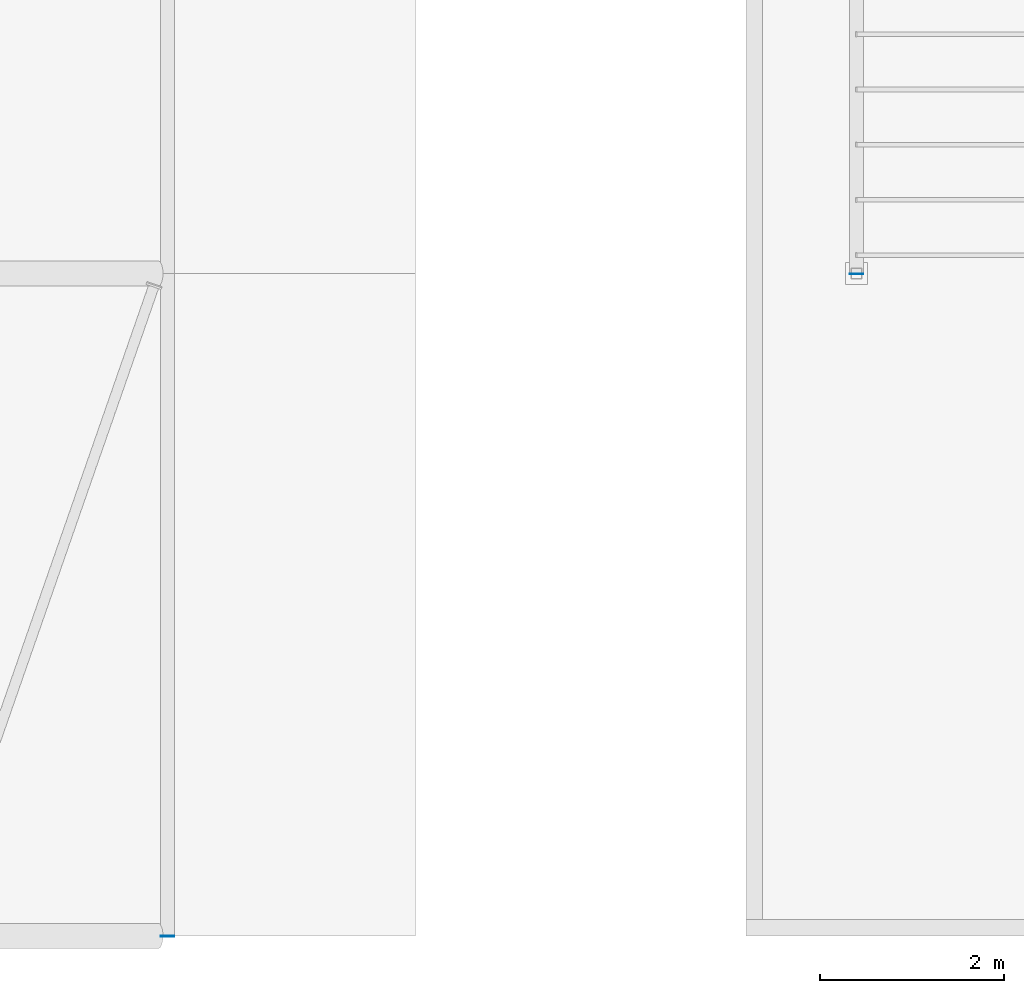
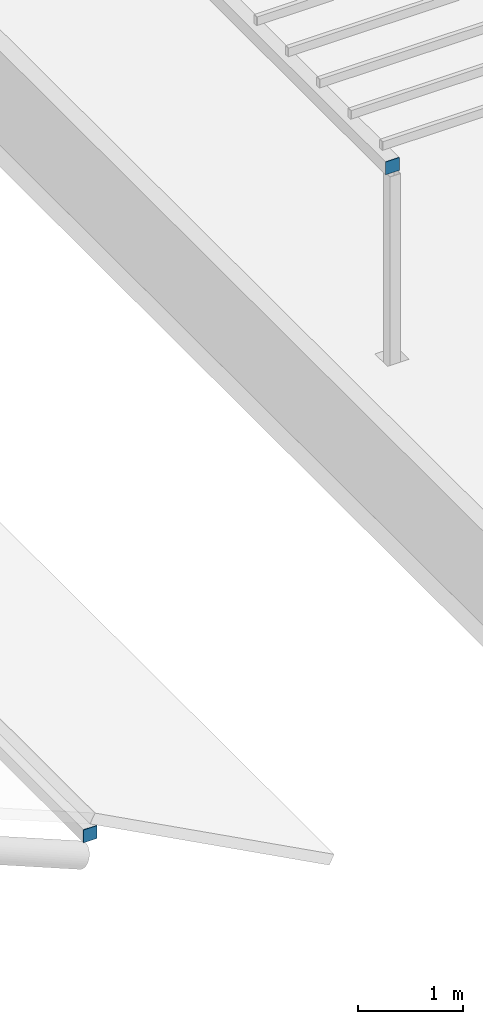
# One storey, part 75 of 92: 2 discrete accessories.
"""IFC4 building model written with IfcOpenShell, lengths in metres."""

from ifc_helpers import new_model, si_unit, direction, frame, origin, origin_2d, place, context, subcontext, project, spatial, rectangle, extrude, material, material_profile, profile_set, type_object, element, save


model = new_model("IFC4")

# Units and contexts
model_context = context("Model", 3, precision=1e-05, world=origin(), true_north=direction((0.0, 1.0)))
body_context = subcontext(model_context, "Body", "Model", "MODEL_VIEW")
ifc_project = project(units=[si_unit("LENGTHUNIT", "METRE"), si_unit("AREAUNIT", "SQUARE_METRE"), si_unit("VOLUMEUNIT", "CUBIC_METRE"), si_unit("PLANEANGLEUNIT", "RADIAN"), si_unit("MASSUNIT", "GRAM", prefix="KILO")], contexts=[model_context])

# Site, building, storey
site_placement = place(None, origin())
site = spatial("IfcSite", under=ifc_project, at=site_placement, CompositionType="ELEMENT")
building_placement = place(site_placement, origin())
building = spatial("IfcBuilding", under=site, at=building_placement, Name="Laocheng Heights Fire and Rescue Headquarters", CompositionType="ELEMENT")
storey_placement = place(building_placement, frame((0.0, 0.0, 12.60009765625)))
storey = spatial("IfcBuildingStorey", under=building, at=storey_placement, Name="L03", CompositionType="ELEMENT", Elevation=12.60009765625)

# Discrete accessories
ifc_material_1 = material(Name="Steel Q355B", Category="steel")
ifc_material_profile_1 = material_profile(ifc_material_1, rectangle(XDim=0.14990234375, YDim=0.14990234375, at=origin_2d()), Name="END CAP PLATE 150 x 150 x 8 FOR BAY ROOF PURLIN SHS 150x150x8")
ifc_profile_set_1 = profile_set([ifc_material_profile_1], Name="Steel Q355B")
discrete_accessory_type_1 = type_object("IfcDiscreteAccessoryType", Name="END CAP PLATE 150 x 150 x 8 FOR BAY ROOF PURLIN SHS 150x150x8", PredefinedType="BRACKET", material=ifc_profile_set_1)
discrete_accessory_1_placement = place(storey_placement, frame((47.710693359375, -0.008056640625, 1.822265625), z_axis=(0.0, 1.0, 0.0), x_axis=(-1.0, 0.0, 0.0)))
element("IfcDiscreteAccessory", 1, at=discrete_accessory_1_placement, inside=storey, type_object=discrete_accessory_type_1, Name="Cap plate at Purlin 14.1 end 1", PredefinedType="BRACKET", context=body_context, shape_type="SweptSolid", body=[
    extrude(rectangle(XDim=0.14990234375, YDim=0.14990234375, at=origin_2d()), origin(), (0.0, 0.0, 1.0), 0.008056640625),
])
ifc_material_2 = material(Name="Steel Q355B", Category="steel")
ifc_material_profile_2 = material_profile(ifc_material_2, rectangle(XDim=0.14990234375, YDim=0.14990234375, at=origin_2d()), Name="END CAP PLATE 150 x 150 x 8 FOR STEEL TRELLIS BEAM RHS 150x150x6")
ifc_profile_set_2 = profile_set([ifc_material_profile_2], Name="Steel Q355B")
discrete_accessory_type_2 = type_object("IfcDiscreteAccessoryType", Name="END CAP PLATE 150 x 150 x 8 FOR STEEL TRELLIS BEAM RHS 150x150x6", PredefinedType="BRACKET", material=ifc_profile_set_2)
discrete_accessory_2_placement = place(storey_placement, frame((55.199951171875, 7.19189453125, 2.625), z_axis=(0.0, 1.0, 0.0), x_axis=(-1.0, 0.0, 0.0)))
element("IfcDiscreteAccessory", 2, at=discrete_accessory_2_placement, inside=storey, type_object=discrete_accessory_type_2, Name="Cap plate at Trellis beam end 1", PredefinedType="BRACKET", context=body_context, shape_type="SweptSolid", body=[
    extrude(rectangle(XDim=0.14990234375, YDim=0.14990234375, at=origin_2d()), origin(), (0.0, 0.0, 1.0), 0.008056640625),
])

save(model, "model.ifc")
